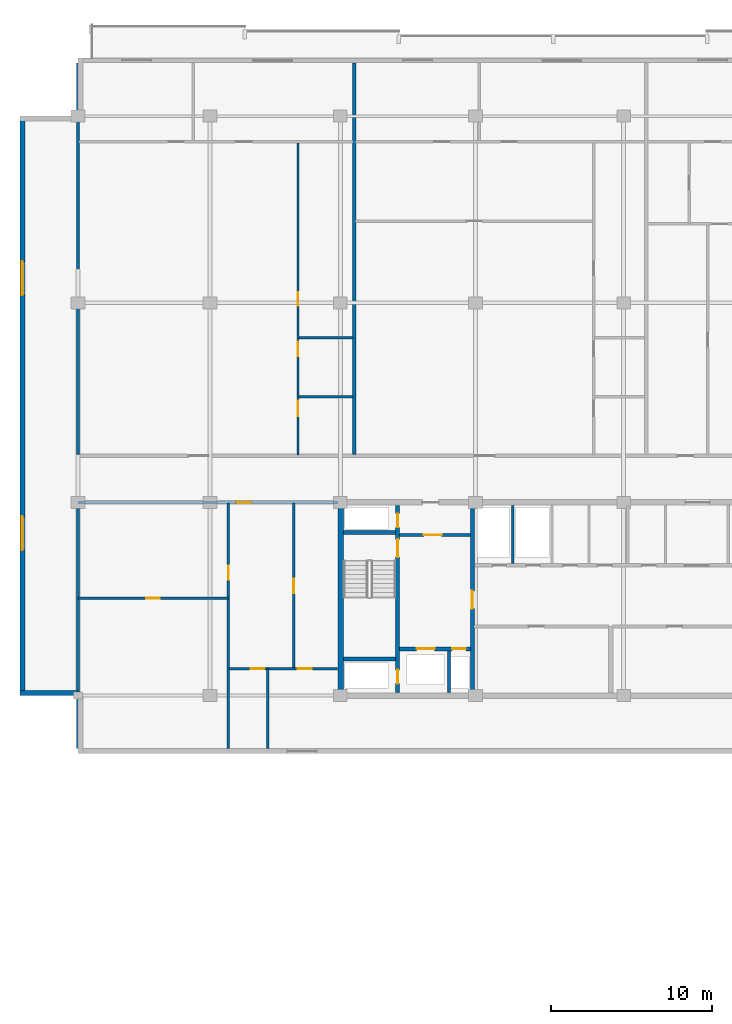
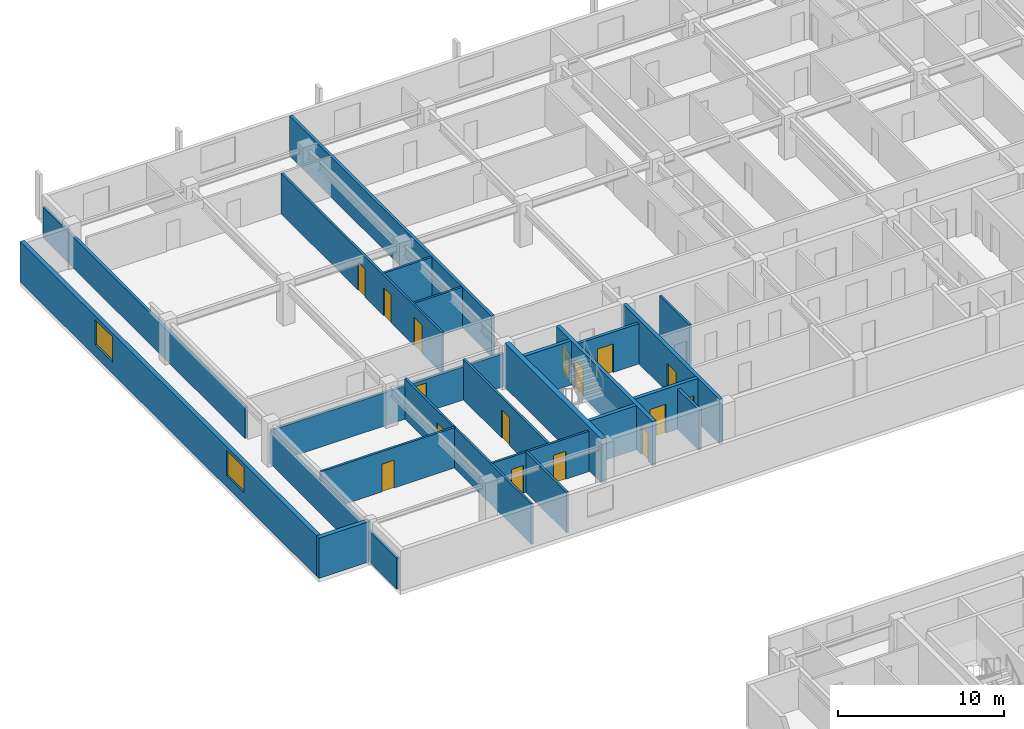
# One storey, part 11 of 22: 23 walls, 16 doors, 2 windows, 18 openings.
"""IFC4 building model written with IfcOpenShell, lengths in metres."""

from ifc_helpers import new_model, si_unit, direction, frame, frame_2d, origin, place, context, subcontext, project, spatial, rectangle, extrude, material, layer, layer_set, type_object, element, fill, save


model = new_model("IFC4")

# Units and contexts
model_context = context("Model", 3, precision=1e-05, world=origin(), true_north=direction((0.0, 1.0)))
body_context = subcontext(model_context, "Body", "Model", "MODEL_VIEW")
ifc_project = project(units=[si_unit("LENGTHUNIT", "METRE"), si_unit("AREAUNIT", "SQUARE_METRE"), si_unit("VOLUMEUNIT", "CUBIC_METRE"), si_unit("PLANEANGLEUNIT", "RADIAN"), si_unit("MASSUNIT", "GRAM", prefix="KILO")], contexts=[model_context])

# Site, building, storey
site_placement = place(None, origin())
site = spatial("IfcSite", under=ifc_project, at=site_placement, CompositionType="ELEMENT")
building_placement = place(site_placement, origin())
building = spatial("IfcBuilding", under=site, at=building_placement, Name="Korimba Cascade Residences", CompositionType="ELEMENT")
storey_placement = place(building_placement, frame((0.0, 0.0, 181.60009765625)))
storey = spatial("IfcBuildingStorey", under=building, at=storey_placement, Name="L52", CompositionType="ELEMENT", Elevation=181.60009765625)

# Wall, openings, windows
ifc_material_1 = material(Name="Precast concrete C40/50", Category="concrete")
ifc_layer_1 = layer(ifc_material_1, 0.300048828125)
ifc_layer_set_1 = layer_set([ifc_layer_1], Name="Precast concrete C40/50")
wall_type_1 = type_object("IfcWallType", Name="EW-STONE-300", PredefinedType="STANDARD", material=ifc_layer_set_1)
wall_1_placement = place(storey_placement, frame((56.35009765625, 91.199951171875, 0.0), z_axis=(0.0, 0.0, 1.0), x_axis=(0.0, -1.0, 0.0)))
wall_1 = element("IfcWall", 1, at=wall_1_placement, inside=storey, type_object=wall_type_1, Name="L52 T1 Perimeter Stone Wall E09", PredefinedType="STANDARD", context=body_context, shape_type="SweptSolid", body=[
    extrude(rectangle(XDim=36.0, YDim=0.300048828125, at=frame_2d((18.0, 0.0))), origin(), (0.0, 0.0, 1.0), 2.969970703125),
])
opening_1_placement = place(wall_1_placement, frame((9.030029296875, 0.0, 0.85009765625)))
opening_1 = element("IfcOpeningElement", 2, at=opening_1_placement, cuts=wall_1, Name="Opening W-03", PredefinedType="OPENING", context=body_context, shape_type="SweptSolid", body=[
    extrude(rectangle(XDim=2.10009765625, YDim=1.85009765625, at=frame_2d((1.050048828125, 0.925048828125))), frame((0.0, 0.16015625, 0.0), z_axis=(0.0, -1.0, 0.0), x_axis=(1.0, 0.0, 0.0)), (0.0, 0.0, 1.0), 0.320068359375),
])
opening_2_placement = place(wall_1_placement, frame((24.8701171875, 0.0, 0.85009765625)))
opening_2 = element("IfcOpeningElement", 3, at=opening_2_placement, cuts=wall_1, Name="Opening W-03", PredefinedType="OPENING", context=body_context, shape_type="SweptSolid", body=[
    extrude(rectangle(XDim=2.10009765625, YDim=1.85009765625, at=frame_2d((1.050048828125, 0.925048828125))), frame((0.0, 0.16015625, 0.0), z_axis=(0.0, -1.0, 0.0), x_axis=(1.0, 0.0, 0.0)), (0.0, 0.0, 1.0), 0.320068359375),
])
ifc_material_2 = material(Name="Double-Glazed Aluminium Window", Category="aluminium")
window_type = type_object("IfcWindowType", Name="WIN-CRN-2100", PartitioningType="DOUBLE_PANEL_HORIZONTAL", PredefinedType="WINDOW", material=ifc_material_2)
window_1_placement = place(opening_1_placement, origin())
window_1 = element("IfcWindow", 4, at=window_1_placement, inside=storey, type_object=window_type, Name="L52 T1 End View Window 9.1", OverallHeight=1.85009765625, OverallWidth=2.10009765625, PartitioningType="DOUBLE_PANEL_HORIZONTAL", PredefinedType="WINDOW", context=body_context, shape_type="SweptSolid", body=[
    extrude(rectangle(XDim=2.10009765625, YDim=1.85009765625, at=frame_2d((1.050048828125, 0.925048828125))), frame((0.0, 0.030029296875, 0.0), z_axis=(0.0, -1.0, 0.0), x_axis=(1.0, 0.0, 0.0)), (0.0, 0.0, 1.0), 0.06005859375),
])
fill(opening_1, window_1)
window_2_placement = place(opening_2_placement, origin())
window_2 = element("IfcWindow", 5, at=window_2_placement, inside=storey, type_object=window_type, Name="L52 T1 End View Window 9.2", OverallHeight=1.85009765625, OverallWidth=2.10009765625, PartitioningType="DOUBLE_PANEL_HORIZONTAL", PredefinedType="WINDOW", context=body_context, shape_type="SweptSolid", body=[
    extrude(rectangle(XDim=2.10009765625, YDim=1.85009765625, at=frame_2d((1.050048828125, 0.925048828125))), frame((0.0, 0.030029296875, 0.0), z_axis=(0.0, -1.0, 0.0), x_axis=(1.0, 0.0, 0.0)), (0.0, 0.0, 1.0), 0.06005859375),
])
fill(opening_2, window_2)

# Walls
wall_2_placement = place(storey_placement, frame((56.199951171875, 55.35009765625, 0.0), z_axis=(0.0, 0.0, 1.0), x_axis=(1.0, 0.0, 0.0)))
element("IfcWall", 6, at=wall_2_placement, inside=storey, type_object=wall_type_1, Name="L52 T1 Perimeter Stone Wall E10", PredefinedType="STANDARD", context=body_context, shape_type="SweptSolid", body=[
    extrude(rectangle(XDim=3.60009765625, YDim=0.300048828125, at=frame_2d((1.800048828125, 0.0))), origin(), (0.0, 0.0, 1.0), 2.969970703125),
])
ifc_material_3 = material(Name="Concrete C65/80", Category="concrete")
ifc_layer_2 = layer(ifc_material_3, 0.35009765625)
ifc_layer_set_2 = layer_set([ifc_layer_2], Name="Concrete C65/80")
wall_type_2 = type_object("IfcWallType", Name="WAL-CORE-350", PredefinedType="SHEAR", material=ifc_layer_set_2)
wall_3_placement = place(storey_placement, frame((76.125, 55.375, 0.0), z_axis=(0.0, 0.0, 1.0), x_axis=(0.0, 1.0, 0.0)))
element("IfcWall", 7, at=wall_3_placement, inside=storey, type_object=wall_type_2, Name="L52 Core Shear Wall CW-L52-T1-W", PredefinedType="SHEAR", context=body_context, shape_type="SweptSolid", body=[
    extrude(rectangle(XDim=11.64990234375, YDim=0.35009765625, at=frame_2d((5.824951171875, 0.0))), origin(), (0.0, 0.0, 1.0), 3.25),
])
ifc_layer_3 = layer(ifc_material_1, 0.199951171875)
ifc_layer_set_3 = layer_set([ifc_layer_3], Name="Precast concrete C40/50")
wall_type_3 = type_object("IfcWallType", Name="WAL-IT-200", PredefinedType="PARTITIONING", material=ifc_layer_set_3)
wall_4_placement = place(storey_placement, frame((59.800048828125, 51.89990234375, 0.0), z_axis=(0.0, 0.0, 1.0), x_axis=(0.0, 1.0, 0.0)))
element("IfcWall", 8, at=wall_4_placement, inside=storey, type_object=wall_type_3, Name="L52 Partition Wall WAL-L52-T1-FW-WL", PredefinedType="PARTITIONING", context=body_context, shape_type="SweptSolid", body=[
    extrude(rectangle(XDim=15.300048828125, YDim=0.199951171875, at=frame_2d((7.64990234375, 0.0))), origin(), (0.0, 0.0, 1.0), 2.277099609375),
])

# Wall, opening, door
wall_5_placement = place(storey_placement, frame((59.800048828125, 67.199951171875, 0.0), z_axis=(0.0, 0.0, 1.0), x_axis=(1.0, 0.0, 0.0)))
wall_5 = element("IfcWall", 9, at=wall_5_placement, inside=storey, type_object=wall_type_3, Name="L52 Partition Wall WAL-L52-T1-FW-N", PredefinedType="PARTITIONING", context=body_context, shape_type="SweptSolid", body=[
    extrude(rectangle(XDim=16.14990234375, YDim=0.199951171875, at=frame_2d((8.074951171875, 0.0))), origin(), (0.0, 0.0, 1.0), 2.43310546875),
])
opening_3_placement = place(wall_5_placement, frame((9.823486328125, 0.0, 0.0)))
opening_3 = element("IfcOpeningElement", 10, at=opening_3_placement, cuts=wall_5, Name="Opening D-UN1", PredefinedType="OPENING", context=body_context, shape_type="SweptSolid", body=[
    extrude(rectangle(XDim=0.949951171875, YDim=2.14990234375, at=frame_2d((0.47509765625, 1.074951171875))), frame((0.0, 0.10986328125, 0.0), z_axis=(0.0, -1.0, 0.0), x_axis=(1.0, 0.0, 0.0)), (0.0, 0.0, 1.0), 0.219970703125),
])
ifc_material_4 = material(Name="Fire-Rated Hardwood Apartment Entrance Door", Category="wood")
door_type_1 = type_object("IfcDoorType", Name="DR-FD60-950", OperationType="NOTDEFINED", PredefinedType="DOOR", material=ifc_material_4)
door_1_placement = place(opening_3_placement, origin())
door_1 = element("IfcDoor", 11, at=door_1_placement, inside=storey, type_object=door_type_1, Name="L52-T1-FW Entrance Door", OperationType="SINGLE_SWING_LEFT", OverallHeight=2.14990234375, OverallWidth=0.949951171875, PredefinedType="DOOR", context=body_context, shape_type="SweptSolid", body=[
    extrude(rectangle(XDim=0.949951171875, YDim=2.14990234375, at=frame_2d((0.47509765625, 1.074951171875))), frame((0.0, 0.02490234375, 0.0), z_axis=(0.0, -1.0, 0.0), x_axis=(1.0, 0.0, 0.0)), (0.0, 0.0, 1.0), 0.050048828125),
])
fill(opening_3, door_1)

# Walls
wall_6_placement = place(storey_placement, frame((59.800048828125, 70.179931640625, 0.0), z_axis=(0.0, 0.0, 1.0), x_axis=(0.0, 1.0, 0.0)))
element("IfcWall", 12, at=wall_6_placement, inside=storey, type_object=wall_type_3, Name="L52 Partition Wall WAL-L52-T1-BNDWL", PredefinedType="PARTITIONING", context=body_context, shape_type="SweptSolid", body=[
    extrude(rectangle(XDim=24.320068359375, YDim=0.199951171875, at=frame_2d((12.16015625, 0.0))), origin(), (0.0, 0.0, 1.0), 2.277099609375),
])
wall_7_placement = place(storey_placement, frame((76.96826171875, 70.179931640625, 0.0), z_axis=(0.0, 0.0, 1.0), x_axis=(0.0, 1.0, 0.0)))
element("IfcWall", 13, at=wall_7_placement, inside=storey, type_object=wall_type_3, Name="L52 Partition Wall WAL-L52-T1-DEM-1", PredefinedType="PARTITIONING", context=body_context, shape_type="SweptSolid", body=[
    extrude(rectangle(XDim=24.320068359375, YDim=0.199951171875, at=frame_2d((12.16015625, 0.0))), origin(), (0.0, 0.0, 1.0), 2.969970703125),
])
ifc_material_5 = material(Name="Insulated Acoustic Stud Partition", Category="gypsum")
ifc_layer_4 = layer(ifc_material_5, 0.14990234375)
ifc_layer_set_4 = layer_set([ifc_layer_4], Name="Insulated Acoustic Stud Partition")
wall_type_4 = type_object("IfcWallType", Name="WAL-PART-150", PredefinedType="PARTITIONING", material=ifc_layer_set_4)
wall_8_placement = place(storey_placement, frame((86.800048828125, 63.39990234375, 0.0), z_axis=(0.0, 0.0, 1.0), x_axis=(0.0, 1.0, 0.0)))
element("IfcWall", 14, at=wall_8_placement, inside=storey, type_object=wall_type_4, Name="L52 Partition Wall CW-L52-T1-ERDIV", PredefinedType="PARTITIONING", context=body_context, shape_type="SweptSolid", body=[
    extrude(rectangle(XDim=3.60009765625, YDim=0.14990234375, at=frame_2d((1.800048828125, 0.0))), origin(), (0.0, 0.0, 1.0), 2.969970703125),
])

# Wall, opening, door
wall_9_placement = place(storey_placement, frame((59.800048828125, 61.25, 0.0), z_axis=(0.0, 0.0, 1.0), x_axis=(1.0, 0.0, 0.0)))
wall_9 = element("IfcWall", 15, at=wall_9_placement, inside=storey, type_object=wall_type_4, Name="L52 Partition Wall WAL-L52-T1-FW-STH", PredefinedType="PARTITIONING", context=body_context, shape_type="SweptSolid", body=[
    extrude(rectangle(XDim=9.349853515625, YDim=0.14990234375, at=frame_2d((4.6748046875, 0.0))), origin(), (0.0, 0.0, 1.0), 2.969970703125),
])
opening_4_placement = place(wall_9_placement, frame((4.2548828125, 0.0, 0.0)))
opening_4 = element("IfcOpeningElement", 16, at=opening_4_placement, cuts=wall_9, Name="Opening D-BT1", PredefinedType="OPENING", context=body_context, shape_type="SweptSolid", body=[
    extrude(rectangle(XDim=0.840087890625, YDim=2.0400390625, at=frame_2d((0.419921875, 1.02001953125))), frame((0.0, 0.0849609375, 0.0), z_axis=(0.0, -1.0, 0.0), x_axis=(1.0, 0.0, 0.0)), (0.0, 0.0, 1.0), 0.169921875),
])
ifc_material_6 = material(Name="Moisture-Resistant Bathroom Timber Door", Category="wood")
door_type_2 = type_object("IfcDoorType", Name="DR-INT-850", OperationType="NOTDEFINED", PredefinedType="DOOR", material=ifc_material_6)
door_2_placement = place(opening_4_placement, origin())
door_2 = element("IfcDoor", 17, at=door_2_placement, inside=storey, type_object=door_type_2, Name="L52-T1-FW Dressing Store Door", OperationType="SINGLE_SWING_RIGHT", OverallHeight=2.0400390625, OverallWidth=0.840087890625, PredefinedType="DOOR", context=body_context, shape_type="SweptSolid", body=[
    extrude(rectangle(XDim=0.840087890625, YDim=2.0400390625, at=frame_2d((0.419921875, 1.02001953125))), frame((0.0, 0.02490234375, 0.0), z_axis=(0.0, -1.0, 0.0), x_axis=(1.0, 0.0, 0.0)), (0.0, 0.0, 1.0), 0.050048828125),
])
fill(opening_4, door_2)

wall_10_placement = place(storey_placement, frame((69.14990234375, 51.89990234375, 0.0), z_axis=(0.0, 0.0, 1.0), x_axis=(0.0, 1.0, 0.0)))
wall_10 = element("IfcWall", 18, at=wall_10_placement, inside=storey, type_object=wall_type_4, Name="L52 Partition Wall WAL-L52-T1-FW-STV", PredefinedType="PARTITIONING", context=body_context, shape_type="SweptSolid", body=[
    extrude(rectangle(XDim=15.25, YDim=0.14990234375, at=frame_2d((7.625, 0.0))), origin(), (0.0, 0.0, 1.0), 2.969970703125),
])
opening_5_placement = place(wall_10_placement, frame((10.5, 0.0, 0.0)))
opening_5 = element("IfcOpeningElement", 19, at=opening_5_placement, cuts=wall_10, Name="Opening D-IN2", PredefinedType="OPENING", context=body_context, shape_type="SweptSolid", body=[
    extrude(rectangle(XDim=0.8798828125, YDim=2.06005859375, at=frame_2d((0.43994140625, 1.030029296875))), frame((0.0, 0.0849609375, 0.0), z_axis=(0.0, -1.0, 0.0), x_axis=(1.0, 0.0, 0.0)), (0.0, 0.0, 1.0), 0.169921875),
])
ifc_material_7 = material(Name="Acoustic Timber Bedroom Door", Category="wood")
door_type_3 = type_object("IfcDoorType", Name="DR-INT-880", OperationType="NOTDEFINED", PredefinedType="DOOR", material=ifc_material_7)
door_3_placement = place(opening_5_placement, origin())
door_3 = element("IfcDoor", 20, at=door_3_placement, inside=storey, type_object=door_type_3, Name="L52-T1-FW Study Door", OperationType="SINGLE_SWING_LEFT", OverallHeight=2.06005859375, OverallWidth=0.8798828125, PredefinedType="DOOR", context=body_context, shape_type="SweptSolid", body=[
    extrude(rectangle(XDim=0.8798828125, YDim=2.06005859375, at=frame_2d((0.43994140625, 1.030029296875))), frame((0.0, 0.02490234375, 0.0), z_axis=(0.0, -1.0, 0.0), x_axis=(1.0, 0.0, 0.0)), (0.0, 0.0, 1.0), 0.050048828125),
])
fill(opening_5, door_3)

wall_11_placement = place(storey_placement, frame((73.199951171875, 56.8701171875, 0.0), z_axis=(0.0, 0.0, 1.0), x_axis=(0.0, 1.0, 0.0)))
wall_11 = element("IfcWall", 21, at=wall_11_placement, inside=storey, type_object=wall_type_4, Name="L52 Partition Wall WAL-L52-T1-FW-VN", PredefinedType="PARTITIONING", context=body_context, shape_type="SweptSolid", body=[
    extrude(rectangle(XDim=10.27978515625, YDim=0.14990234375, at=frame_2d((5.139892578125, 0.0))), origin(), (0.0, 0.0, 1.0), 2.969970703125),
])
opening_6_placement = place(wall_11_placement, frame((4.679931640625, 0.0, 0.0)))
opening_6 = element("IfcOpeningElement", 22, at=opening_6_placement, cuts=wall_11, Name="Opening D-IN1", PredefinedType="OPENING", context=body_context, shape_type="SweptSolid", body=[
    extrude(rectangle(XDim=0.919921875, YDim=2.080078125, at=frame_2d((0.4599609375, 1.0400390625))), frame((0.0, 0.0849609375, 0.0), z_axis=(0.0, -1.0, 0.0), x_axis=(1.0, 0.0, 0.0)), (0.0, 0.0, 1.0), 0.169921875),
])
ifc_material_8 = material(Name="Acoustic Timber Living Door", Category="wood")
door_type_4 = type_object("IfcDoorType", Name="DR-INT-920", OperationType="NOTDEFINED", PredefinedType="DOOR", material=ifc_material_8)
door_4_placement = place(opening_6_placement, origin())
door_4 = element("IfcDoor", 23, at=door_4_placement, inside=storey, type_object=door_type_4, Name="L52-T1-FW Living Door", OperationType="SINGLE_SWING_RIGHT", OverallHeight=2.080078125, OverallWidth=0.919921875, PredefinedType="DOOR", context=body_context, shape_type="SweptSolid", body=[
    extrude(rectangle(XDim=0.919921875, YDim=2.080078125, at=frame_2d((0.4599609375, 1.0400390625))), frame((0.0, 0.02490234375, 0.0), z_axis=(0.0, -1.0, 0.0), x_axis=(1.0, 0.0, 0.0)), (0.0, 0.0, 1.0), 0.050048828125),
])
fill(opening_6, door_4)

# Wall
wall_12_placement = place(storey_placement, frame((71.60009765625, 51.89990234375, 0.0), z_axis=(0.0, 0.0, 1.0), x_axis=(0.0, 1.0, 0.0)))
element("IfcWall", 24, at=wall_12_placement, inside=storey, type_object=wall_type_4, Name="L52 Partition Wall WAL-L52-T1-FW-VS", PredefinedType="PARTITIONING", context=body_context, shape_type="SweptSolid", body=[
    extrude(rectangle(XDim=4.97021484375, YDim=0.14990234375, at=frame_2d((2.485107421875, 0.0))), origin(), (0.0, 0.0, 1.0), 2.969970703125),
])

# Wall, openings, doors
wall_13_placement = place(storey_placement, frame((69.169921875, 56.8701171875, 0.0), z_axis=(0.0, 0.0, 1.0), x_axis=(1.0, 0.0, 0.0)))
wall_13 = element("IfcWall", 25, at=wall_13_placement, inside=storey, type_object=wall_type_4, Name="L52 Partition Wall WAL-L52-T1-FW-H", PredefinedType="PARTITIONING", context=body_context, shape_type="SweptSolid", body=[
    extrude(rectangle(XDim=6.760009765625, YDim=0.14990234375, at=frame_2d((3.3798828125, 0.0))), origin(), (0.0, 0.0, 1.0), 2.969970703125),
])
opening_7_placement = place(wall_13_placement, frame((1.3623046875, 0.0, 0.0)))
opening_7 = element("IfcOpeningElement", 26, at=opening_7_placement, cuts=wall_13, Name="Opening D-BT1", PredefinedType="OPENING", context=body_context, shape_type="SweptSolid", body=[
    extrude(rectangle(XDim=0.840087890625, YDim=2.0400390625, at=frame_2d((0.419921875, 1.02001953125))), frame((0.0, 0.0849609375, 0.0), z_axis=(0.0, -1.0, 0.0), x_axis=(1.0, 0.0, 0.0)), (0.0, 0.0, 1.0), 0.169921875),
])
opening_8_placement = place(wall_13_placement, frame((4.276611328125, 0.0, 0.0)))
opening_8 = element("IfcOpeningElement", 27, at=opening_8_placement, cuts=wall_13, Name="Opening D-IN2", PredefinedType="OPENING", context=body_context, shape_type="SweptSolid", body=[
    extrude(rectangle(XDim=0.8798828125, YDim=2.06005859375, at=frame_2d((0.43994140625, 1.030029296875))), frame((0.0, 0.0849609375, 0.0), z_axis=(0.0, -1.0, 0.0), x_axis=(1.0, 0.0, 0.0)), (0.0, 0.0, 1.0), 0.169921875),
])
door_5_placement = place(opening_7_placement, origin())
door_5 = element("IfcDoor", 28, at=door_5_placement, inside=storey, type_object=door_type_2, Name="L52-T1-FW Bathroom Door", OperationType="SINGLE_SWING_LEFT", OverallHeight=2.0400390625, OverallWidth=0.840087890625, PredefinedType="DOOR", context=body_context, shape_type="SweptSolid", body=[
    extrude(rectangle(XDim=0.840087890625, YDim=2.0400390625, at=frame_2d((0.419921875, 1.02001953125))), frame((0.0, 0.02490234375, 0.0), z_axis=(0.0, -1.0, 0.0), x_axis=(1.0, 0.0, 0.0)), (0.0, 0.0, 1.0), 0.050048828125),
])
fill(opening_7, door_5)
door_6_placement = place(opening_8_placement, origin())
door_6 = element("IfcDoor", 29, at=door_6_placement, inside=storey, type_object=door_type_3, Name="L52-T1-FW Bedroom Door", OperationType="SINGLE_SWING_RIGHT", OverallHeight=2.06005859375, OverallWidth=0.8798828125, PredefinedType="DOOR", context=body_context, shape_type="SweptSolid", body=[
    extrude(rectangle(XDim=0.8798828125, YDim=2.06005859375, at=frame_2d((0.43994140625, 1.030029296875))), frame((0.0, 0.02490234375, 0.0), z_axis=(0.0, -1.0, 0.0), x_axis=(1.0, 0.0, 0.0)), (0.0, 0.0, 1.0), 0.050048828125),
])
fill(opening_8, door_6)

# Walls
for number, where, z_axis, x_axis, name in (
    (30, (73.5283203125, 73.77001953125, 0.0), (0.0, 0.0, 1.0), (1.0, 0.0, 0.0), "L52 Partition Wall WAL-L52-T1-U01-WCH"),
    (31, (73.5283203125, 77.419921875, 0.0), (0.0, 0.0, 1.0), (1.0, 0.0, 0.0), "L52 Partition Wall WAL-L52-T1-U01-WCH2"),
):
    element("IfcWall", number, at=place(storey_placement, frame(where, z_axis=z_axis, x_axis=x_axis)), inside=storey, type_object=wall_type_4, Name=name, PredefinedType="PARTITIONING", context=body_context, shape_type="SweptSolid", body=[
        extrude(rectangle(XDim=3.35986328125, YDim=0.14990234375, at=frame_2d((1.679931640625, 0.0))), origin(), (0.0, 0.0, 1.0), 2.969970703125),
    ])

# Wall, openings, doors
wall_14_placement = place(storey_placement, frame((73.46826171875, 70.159912109375, 0.0), z_axis=(0.0, 0.0, 1.0), x_axis=(0.0, 1.0, 0.0)))
wall_14 = element("IfcWall", 32, at=wall_14_placement, inside=storey, type_object=wall_type_4, Name="L52 Partition Wall WAL-L52-T1-U01-WCV", PredefinedType="PARTITIONING", context=body_context, shape_type="SweptSolid", body=[
    extrude(rectangle(XDim=19.380126953125, YDim=0.14990234375, at=frame_2d((9.68994140625, 0.0))), origin(), (0.0, 0.0, 1.0), 2.969970703125),
])
opening_9_placement = place(wall_14_placement, frame((2.406005859375, 0.0, 0.0)))
opening_9 = element("IfcOpeningElement", 33, at=opening_9_placement, cuts=wall_14, Name="Opening D-AC1", PredefinedType="OPENING", context=body_context, shape_type="SweptSolid", body=[
    extrude(rectangle(XDim=0.9599609375, YDim=2.10009765625, at=frame_2d((0.47998046875, 1.050048828125))), frame((0.0, 0.0849609375, 0.0), z_axis=(0.0, -1.0, 0.0), x_axis=(1.0, 0.0, 0.0)), (0.0, 0.0, 1.0), 0.169921875),
])
opening_10_placement = place(wall_14_placement, frame((6.132568359375, 0.0, 0.0)))
opening_10 = element("IfcOpeningElement", 34, at=opening_10_placement, cuts=wall_14, Name="Opening D-IN2", PredefinedType="OPENING", context=body_context, shape_type="SweptSolid", body=[
    extrude(rectangle(XDim=0.8798828125, YDim=2.06005859375, at=frame_2d((0.43994140625, 1.030029296875))), frame((0.0, 0.0849609375, 0.0), z_axis=(0.0, -1.0, 0.0), x_axis=(1.0, 0.0, 0.0)), (0.0, 0.0, 1.0), 0.169921875),
])
opening_11_placement = place(wall_14_placement, frame((9.27001953125, 0.0, 0.0)))
opening_11 = element("IfcOpeningElement", 35, at=opening_11_placement, cuts=wall_14, Name="Opening D-BT1", PredefinedType="OPENING", context=body_context, shape_type="SweptSolid", body=[
    extrude(rectangle(XDim=0.840087890625, YDim=2.0400390625, at=frame_2d((0.419921875, 1.02001953125))), frame((0.0, 0.0849609375, 0.0), z_axis=(0.0, -1.0, 0.0), x_axis=(1.0, 0.0, 0.0)), (0.0, 0.0, 1.0), 0.169921875),
])
ifc_material_9 = material(Name="Accessible Acoustic Timber WC Door", Category="wood")
door_type_5 = type_object("IfcDoorType", Name="DR-ACC-950", OperationType="NOTDEFINED", PredefinedType="DOOR", material=ifc_material_9)
door_7_placement = place(opening_9_placement, origin())
door_7 = element("IfcDoor", 36, at=door_7_placement, inside=storey, type_object=door_type_5, Name="L52-T1-U01 Accessible WC Door", OperationType="SINGLE_SWING_RIGHT", OverallHeight=2.10009765625, OverallWidth=0.9599609375, PredefinedType="DOOR", context=body_context, shape_type="SweptSolid", body=[
    extrude(rectangle(XDim=0.9599609375, YDim=2.10009765625, at=frame_2d((0.47998046875, 1.050048828125))), frame((0.0, 0.02490234375, 0.0), z_axis=(0.0, -1.0, 0.0), x_axis=(1.0, 0.0, 0.0)), (0.0, 0.0, 1.0), 0.050048828125),
])
fill(opening_9, door_7)
door_8_placement = place(opening_11_placement, origin())
door_8 = element("IfcDoor", 37, at=door_8_placement, inside=storey, type_object=door_type_2, Name="L52-T1-U01 Suite Store Door", OperationType="SINGLE_SWING_RIGHT", OverallHeight=2.0400390625, OverallWidth=0.840087890625, PredefinedType="DOOR", context=body_context, shape_type="SweptSolid", body=[
    extrude(rectangle(XDim=0.840087890625, YDim=2.0400390625, at=frame_2d((0.419921875, 1.02001953125))), frame((0.0, 0.02490234375, 0.0), z_axis=(0.0, -1.0, 0.0), x_axis=(1.0, 0.0, 0.0)), (0.0, 0.0, 1.0), 0.050048828125),
])
fill(opening_11, door_8)
door_9_placement = place(opening_10_placement, origin())
door_9 = element("IfcDoor", 38, at=door_9_placement, inside=storey, type_object=door_type_3, Name="L52-T1-U01 Restroom WC Door", OperationType="SINGLE_SWING_LEFT", OverallHeight=2.06005859375, OverallWidth=0.8798828125, PredefinedType="DOOR", context=body_context, shape_type="SweptSolid", body=[
    extrude(rectangle(XDim=0.8798828125, YDim=2.06005859375, at=frame_2d((0.43994140625, 1.030029296875))), frame((0.0, 0.02490234375, 0.0), z_axis=(0.0, -1.0, 0.0), x_axis=(1.0, 0.0, 0.0)), (0.0, 0.0, 1.0), 0.050048828125),
])
fill(opening_10, door_9)

# Wall
ifc_material_10 = material(Name="Concrete C40/50", Category="concrete")
ifc_layer_5 = layer(ifc_material_10, 0.199951171875)
ifc_layer_set_5 = layer_set([ifc_layer_5], Name="Concrete C40/50")
wall_type_5 = type_object("IfcWallType", Name="WAL-PART-200", PredefinedType="PARTITIONING", material=ifc_layer_set_5)
wall_15_placement = place(storey_placement, frame((82.85009765625, 55.39990234375, 0.0), z_axis=(0.0, 0.0, 1.0), x_axis=(0.0, 1.0, 0.0)))
element("IfcWall", 39, at=wall_15_placement, inside=storey, type_object=wall_type_5, Name="L52 Partition Wall CW-L52-T1-FFLDIV", PredefinedType="PARTITIONING", context=body_context, shape_type="SweptSolid", body=[
    extrude(rectangle(XDim=2.56005859375, YDim=0.199951171875, at=frame_2d((1.280029296875, 0.0))), origin(), (0.0, 0.0, 1.0), 2.969970703125),
])

# Wall, opening, door
wall_16_placement = place(storey_placement, frame((79.7900390625, 65.179931640625, 0.0), z_axis=(0.0, 0.0, 1.0), x_axis=(1.0, 0.0, 0.0)))
wall_16 = element("IfcWall", 40, at=wall_16_placement, inside=storey, type_object=wall_type_5, Name="L52 Partition Wall CW-L52-T1-FFLN", PredefinedType="PARTITIONING", context=body_context, shape_type="SweptSolid", body=[
    extrude(rectangle(XDim=4.389892578125, YDim=0.199951171875, at=frame_2d((2.19482421875, 0.0))), origin(), (0.0, 0.0, 1.0), 2.969970703125),
])
opening_12_placement = place(wall_16_placement, frame((1.5, 0.0, 0.0)))
opening_12 = element("IfcOpeningElement", 41, at=opening_12_placement, cuts=wall_16, Name="Opening D-FD1", PredefinedType="OPENING", context=body_context, shape_type="SweptSolid", body=[
    extrude(rectangle(XDim=1.10009765625, YDim=2.10009765625, at=frame_2d((0.550048828125, 1.050048828125))), frame((0.0, 0.10986328125, 0.0), z_axis=(0.0, -1.0, 0.0), x_axis=(1.0, 0.0, 0.0)), (0.0, 0.0, 1.0), 0.219970703125),
])
ifc_material_11 = material(Name="Fire-Rated Steel Core Door", Category="steel")
door_type_6 = type_object("IfcDoorType", Name="DR-FD120-1100", OperationType="NOTDEFINED", PredefinedType="DOOR", material=ifc_material_11)
door_10_placement = place(opening_12_placement, origin())
door_10 = element("IfcDoor", 42, at=door_10_placement, inside=storey, type_object=door_type_6, Name="L52 West Firefighting Lobby Door", OperationType="SINGLE_SWING_LEFT", OverallHeight=2.10009765625, OverallWidth=1.10009765625, PredefinedType="DOOR", context=body_context, shape_type="SweptSolid", body=[
    extrude(rectangle(XDim=1.10009765625, YDim=2.10009765625, at=frame_2d((0.550048828125, 1.050048828125))), frame((0.0, 0.02490234375, 0.0), z_axis=(0.0, -1.0, 0.0), x_axis=(1.0, 0.0, 0.0)), (0.0, 0.0, 1.0), 0.050048828125),
])
fill(opening_12, door_10)

# Wall, openings, doors
ifc_material_12 = material(Name="Concrete C50/60", Category="concrete")
ifc_layer_6 = layer(ifc_material_12, 0.25)
ifc_layer_set_6 = layer_set([ifc_layer_6], Name="Concrete C50/60")
wall_type_6 = type_object("IfcWallType", Name="WAL-SHAFT-250", PredefinedType="SHEAR", material=ifc_layer_set_6)
wall_17_placement = place(storey_placement, frame((79.6650390625, 55.39990234375, 0.0), z_axis=(0.0, 0.0, 1.0), x_axis=(0.0, 1.0, 0.0)))
wall_17 = element("IfcWall", 43, at=wall_17_placement, inside=storey, type_object=wall_type_6, Name="L52 Core Shear Wall CW-L52-T1-STW1E", PredefinedType="SHEAR", context=body_context, shape_type="SweptSolid", body=[
    extrude(rectangle(XDim=11.60009765625, YDim=0.25, at=frame_2d((5.800048828125, 0.0))), origin(), (0.0, 0.0, 1.0), 3.25),
])
opening_13_placement = place(wall_17_placement, frame((0.550048828125, 0.0, 0.0)))
opening_13 = element("IfcOpeningElement", 44, at=opening_13_placement, cuts=wall_17, Name="Opening D-RS1", PredefinedType="OPENING", context=body_context, shape_type="SweptSolid", body=[
    extrude(rectangle(XDim=0.85009765625, YDim=2.050048828125, at=frame_2d((0.425048828125, 1.02490234375))), frame((0.0, 0.135009765625, 0.0), z_axis=(0.0, -1.0, 0.0), x_axis=(1.0, 0.0, 0.0)), (0.0, 0.0, 1.0), 0.27001953125),
])
opening_14_placement = place(wall_17_placement, frame((8.39990234375, 0.0, 0.0)))
opening_14 = element("IfcOpeningElement", 45, at=opening_14_placement, cuts=wall_17, Name="Opening D-FD1", PredefinedType="OPENING", context=body_context, shape_type="SweptSolid", body=[
    extrude(rectangle(XDim=1.10009765625, YDim=2.10009765625, at=frame_2d((0.550048828125, 1.050048828125))), frame((0.0, 0.135009765625, 0.0), z_axis=(0.0, -1.0, 0.0), x_axis=(1.0, 0.0, 0.0)), (0.0, 0.0, 1.0), 0.27001953125),
])
opening_15_placement = place(wall_17_placement, frame((10.25, 0.0, 0.0)))
opening_15 = element("IfcOpeningElement", 46, at=opening_15_placement, cuts=wall_17, Name="Opening D-RS1", PredefinedType="OPENING", context=body_context, shape_type="SweptSolid", body=[
    extrude(rectangle(XDim=0.85009765625, YDim=2.050048828125, at=frame_2d((0.425048828125, 1.02490234375))), frame((0.0, 0.135009765625, 0.0), z_axis=(0.0, -1.0, 0.0), x_axis=(1.0, 0.0, 0.0)), (0.0, 0.0, 1.0), 0.27001953125),
])
door_11_placement = place(opening_14_placement, origin())
door_11 = element("IfcDoor", 47, at=door_11_placement, inside=storey, type_object=door_type_6, Name="L52 Fire Stair ST-W1 Door", OperationType="SINGLE_SWING_RIGHT", OverallHeight=2.10009765625, OverallWidth=1.10009765625, PredefinedType="DOOR", context=body_context, shape_type="SweptSolid", body=[
    extrude(rectangle(XDim=1.10009765625, YDim=2.10009765625, at=frame_2d((0.550048828125, 1.050048828125))), frame((0.0, 0.02490234375, 0.0), z_axis=(0.0, -1.0, 0.0), x_axis=(1.0, 0.0, 0.0)), (0.0, 0.0, 1.0), 0.050048828125),
])
fill(opening_14, door_11)
ifc_material_13 = material(Name="Fire-Rated Steel Riser Access Door", Category="steel")
door_type_7 = type_object("IfcDoorType", Name="DR-FD60-850", OperationType="NOTDEFINED", PredefinedType="DOOR", material=ifc_material_13)
door_12_placement = place(opening_13_placement, origin())
door_12 = element("IfcDoor", 48, at=door_12_placement, inside=storey, type_object=door_type_7, Name="L52 Smoke Riser Access Door", OperationType="SINGLE_SWING_LEFT", OverallHeight=2.050048828125, OverallWidth=0.85009765625, PredefinedType="DOOR", context=body_context, shape_type="SweptSolid", body=[
    extrude(rectangle(XDim=0.85009765625, YDim=2.050048828125, at=frame_2d((0.425048828125, 1.02490234375))), frame((0.0, 0.02490234375, 0.0), z_axis=(0.0, -1.0, 0.0), x_axis=(1.0, 0.0, 0.0)), (0.0, 0.0, 1.0), 0.050048828125),
])
fill(opening_13, door_12)
door_13_placement = place(opening_15_placement, origin())
door_13 = element("IfcDoor", 49, at=door_13_placement, inside=storey, type_object=door_type_7, Name="L52 Hydrant Riser Access Door", OperationType="SINGLE_SWING_LEFT", OverallHeight=2.050048828125, OverallWidth=0.85009765625, PredefinedType="DOOR", context=body_context, shape_type="SweptSolid", body=[
    extrude(rectangle(XDim=0.85009765625, YDim=2.050048828125, at=frame_2d((0.425048828125, 1.02490234375))), frame((0.0, 0.02490234375, 0.0), z_axis=(0.0, -1.0, 0.0), x_axis=(1.0, 0.0, 0.0)), (0.0, 0.0, 1.0), 0.050048828125),
])
fill(opening_15, door_13)

# Walls
for number, where, z_axis, x_axis, name in (
    (50, (76.300048828125, 57.47509765625, 0.0), (0.0, 0.0, 1.0), (1.0, 0.0, 0.0), "L52 Core Shear Wall CW-L52-T1-STW1S"),
    (51, (76.300048828125, 65.324951171875, 0.0), (0.0, 0.0, 1.0), (1.0, 0.0, 0.0), "L52 Core Shear Wall CW-L52-T1-STW1N"),
):
    element("IfcWall", number, at=place(storey_placement, frame(where, z_axis=z_axis, x_axis=x_axis)), inside=storey, type_object=wall_type_6, Name=name, PredefinedType="SHEAR", context=body_context, shape_type="SweptSolid", body=[
        extrude(rectangle(XDim=3.239990234375, YDim=0.25, at=frame_2d((1.6201171875, 0.0))), origin(), (0.0, 0.0, 1.0), 3.25),
    ])

# Wall, openings, doors
wall_18_placement = place(storey_placement, frame((79.7900390625, 58.10009765625, 0.0), z_axis=(0.0, 0.0, 1.0), x_axis=(1.0, 0.0, 0.0)))
wall_18 = element("IfcWall", 52, at=wall_18_placement, inside=storey, type_object=wall_type_6, Name="L52 Core Shear Wall CW-L52-T1-FFLS", PredefinedType="SHEAR", context=body_context, shape_type="SweptSolid", body=[
    extrude(rectangle(XDim=4.389892578125, YDim=0.25, at=frame_2d((2.19482421875, 0.0))), origin(), (0.0, 0.0, 1.0), 3.25),
])
opening_16_placement = place(wall_18_placement, frame((1.050048828125, 0.0, 0.0)))
opening_16 = element("IfcOpeningElement", 53, at=opening_16_placement, cuts=wall_18, Name="Opening LD-01", PredefinedType="OPENING", context=body_context, shape_type="SweptSolid", body=[
    extrude(rectangle(XDim=1.1201171875, YDim=2.1201171875, at=frame_2d((0.56005859375, 1.06005859375))), frame((0.0, 0.135009765625, 0.0), z_axis=(0.0, -1.0, 0.0), x_axis=(1.0, 0.0, 0.0)), (0.0, 0.0, 1.0), 0.27001953125),
])
opening_17_placement = place(wall_18_placement, frame((3.260009765625, 0.0, 0.0)))
opening_17 = element("IfcOpeningElement", 54, at=opening_17_placement, cuts=wall_18, Name="Opening D-RS1", PredefinedType="OPENING", context=body_context, shape_type="SweptSolid", body=[
    extrude(rectangle(XDim=0.85009765625, YDim=2.050048828125, at=frame_2d((0.425048828125, 1.02490234375))), frame((0.0, 0.135009765625, 0.0), z_axis=(0.0, -1.0, 0.0), x_axis=(1.0, 0.0, 0.0)), (0.0, 0.0, 1.0), 0.27001953125),
])
door_14_placement = place(opening_17_placement, origin())
door_14 = element("IfcDoor", 55, at=door_14_placement, inside=storey, type_object=door_type_7, Name="L52 Pressurisation Riser Door", OperationType="SINGLE_SWING_RIGHT", OverallHeight=2.050048828125, OverallWidth=0.85009765625, PredefinedType="DOOR", context=body_context, shape_type="SweptSolid", body=[
    extrude(rectangle(XDim=0.85009765625, YDim=2.050048828125, at=frame_2d((0.425048828125, 1.02490234375))), frame((0.0, 0.02490234375, 0.0), z_axis=(0.0, -1.0, 0.0), x_axis=(1.0, 0.0, 0.0)), (0.0, 0.0, 1.0), 0.050048828125),
])
fill(opening_17, door_14)
ifc_material_14 = material(Name="Stainless Steel Lift Landing Sliding Door", Category="steel")
door_type_8 = type_object("IfcDoorType", Name="DR-LIFT-1100", OperationType="NOTDEFINED", PredefinedType="DOOR", material=ifc_material_14)
door_15_placement = place(opening_16_placement, origin())
door_15 = element("IfcDoor", 56, at=door_15_placement, inside=storey, type_object=door_type_8, Name="L52 Firefighting Lift Landing Door FFL-W1", OperationType="SLIDING_TO_LEFT", OverallHeight=2.1201171875, OverallWidth=1.1201171875, PredefinedType="DOOR", context=body_context, shape_type="SweptSolid", body=[
    extrude(rectangle(XDim=1.1201171875, YDim=2.1201171875, at=frame_2d((0.56005859375, 1.06005859375))), frame((0.0, 0.02490234375, 0.0), z_axis=(0.0, -1.0, 0.0), x_axis=(1.0, 0.0, 0.0)), (0.0, 0.0, 1.0), 0.050048828125),
])
fill(opening_16, door_15)

# Wall, opening, door
wall_19_placement = place(storey_placement, frame((84.300048828125, 55.39990234375, 0.0), z_axis=(0.0, 0.0, 1.0), x_axis=(0.0, 1.0, 0.0)))
wall_19 = element("IfcWall", 57, at=wall_19_placement, inside=storey, type_object=wall_type_6, Name="L52 Core Shear Wall CW-L52-T1-FFLE", PredefinedType="SHEAR", context=body_context, shape_type="SweptSolid", body=[
    extrude(rectangle(XDim=11.60009765625, YDim=0.25, at=frame_2d((5.800048828125, 0.0))), origin(), (0.0, 0.0, 1.0), 3.25),
])
opening_18_placement = place(wall_19_placement, frame((5.199951171875, 0.0, 0.0)))
opening_18 = element("IfcOpeningElement", 58, at=opening_18_placement, cuts=wall_19, Name="Opening D-FD1", PredefinedType="OPENING", context=body_context, shape_type="SweptSolid", body=[
    extrude(rectangle(XDim=1.10009765625, YDim=2.10009765625, at=frame_2d((0.550048828125, 1.050048828125))), frame((0.0, 0.135009765625, 0.0), z_axis=(0.0, -1.0, 0.0), x_axis=(1.0, 0.0, 0.0)), (0.0, 0.0, 1.0), 0.27001953125),
])
door_16_placement = place(opening_18_placement, origin())
door_16 = element("IfcDoor", 59, at=door_16_placement, inside=storey, type_object=door_type_6, Name="L52 Firefighting Lobby to Lift Lobby Door", OperationType="SINGLE_SWING_RIGHT", OverallHeight=2.10009765625, OverallWidth=1.10009765625, PredefinedType="DOOR", context=body_context, shape_type="SweptSolid", body=[
    extrude(rectangle(XDim=1.10009765625, YDim=2.10009765625, at=frame_2d((0.550048828125, 1.050048828125))), frame((0.0, 0.02490234375, 0.0), z_axis=(0.0, -1.0, 0.0), x_axis=(1.0, 0.0, 0.0)), (0.0, 0.0, 1.0), 0.050048828125),
])
fill(opening_18, door_16)

save(model, "model.ifc")
